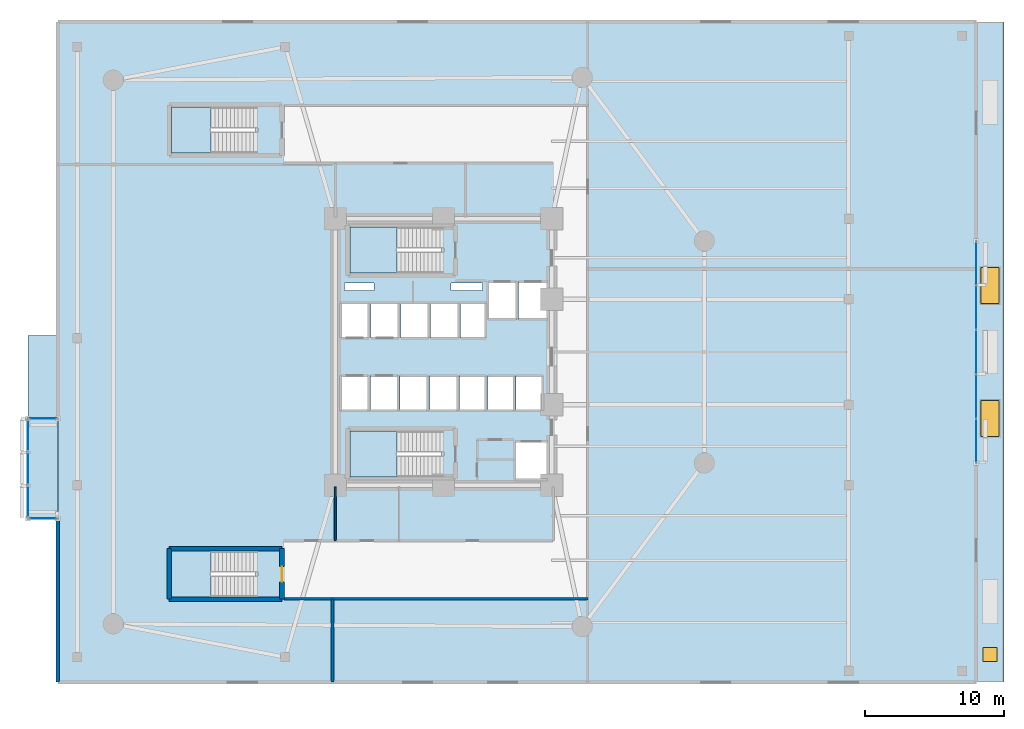
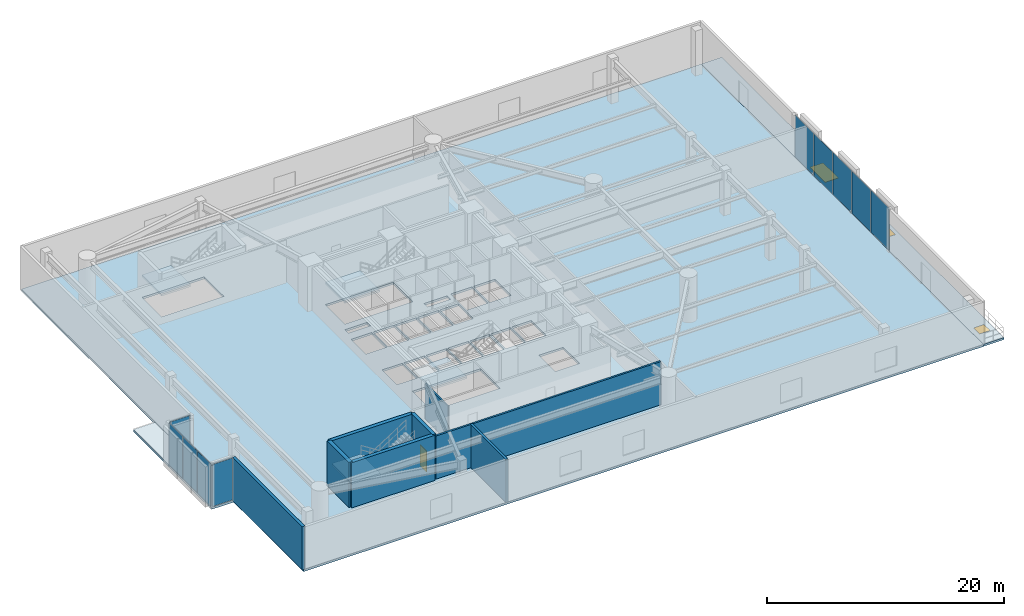
# One storey, part 8 of 15: 10 plates, 8 slabs, 8 walls, 2 doors, 2 windows, 4 openings, 8 elements without a shape of their own.
"""IFC4 building model written with IfcOpenShell, lengths in metres."""

from ifc_helpers import new_model, si_unit, direction, frame, frame_2d, origin, origin_2d, place, context, subcontext, project, spatial, polyline, rectangle, outline, extrude, material, layer, layer_set, type_object, element, fill, aggregate, save


model = new_model("IFC4")

# Units and contexts
model_context = context("Model", 3, precision=1e-05, world=origin(), true_north=direction((0.0, 1.0)))
body_context = subcontext(model_context, "Body", "Model", "MODEL_VIEW")
ifc_project = project(units=[si_unit("LENGTHUNIT", "METRE"), si_unit("AREAUNIT", "SQUARE_METRE"), si_unit("VOLUMEUNIT", "CUBIC_METRE"), si_unit("PLANEANGLEUNIT", "RADIAN"), si_unit("MASSUNIT", "GRAM", prefix="KILO")], contexts=[model_context])

# Site, building, storey
site_placement = place(None, origin())
site = spatial("IfcSite", under=ifc_project, at=site_placement, CompositionType="ELEMENT")
building_placement = place(site_placement, origin())
building = spatial("IfcBuilding", under=site, at=building_placement, Name="An Khanh Terracotta Commons", CompositionType="ELEMENT")
storey_placement = place(building_placement, frame((0.0, 0.0, 14.699951171875)))
storey = spatial("IfcBuildingStorey", under=building, at=storey_placement, Name="L04", CompositionType="ELEMENT", Elevation=14.699951171875)

# Curtain wall, plates
ifc_material_1 = material(Name="Anodised Aluminium 6063-T6", Category="aluminium")
ifc_layer_1 = layer(ifc_material_1, 0.179931640625, Name="Anodised Aluminium 6063-T6")
ifc_layer_set_1 = layer_set([ifc_layer_1], Name="Anodised Aluminium 6063-T6")
curtain_wall_type_1 = type_object("IfcCurtainWallType", Name="CW-SYS-01", PredefinedType="USERDEFINED", material=ifc_layer_set_1)
curtain_wall_1_placement = place(storey_placement, origin())
curtain_wall_1 = element("IfcCurtainWall", 1, at=curtain_wall_1_placement, inside=storey, type_object=curtain_wall_type_1, Name="L04 CW-01 Unitised Curtain Wall CW-L04-EAST", ObjectType="UNITISED CURTAIN WALL", PredefinedType="USERDEFINED")
ifc_material_2 = material(Name="Double Low-E Podium Glazing", Category="glass")
ifc_layer_2 = layer(ifc_material_2, 0.031982421875, Name="Double Low-E Podium Glazing")
ifc_layer_set_2 = layer_set([ifc_layer_2], Name="Double Low-E Podium Glazing")
plate_type_1 = type_object("IfcPlateType", Name="CWP-IGU-32", PredefinedType="CURTAIN_PANEL", material=ifc_layer_set_2)
plate_1_placement = place(storey_placement, frame((67.800048828125, 17.6162109375, 0.06005859375), z_axis=(0.0, 0.0, 1.0), x_axis=(0.0, 1.0, 0.0)))
plate_1 = element("IfcPlate", 2, at=plate_1_placement, type_object=plate_type_1, Name="CW-01 panel 1.1", PredefinedType="CURTAIN_PANEL", context=body_context, shape_type="SweptSolid", body=[
    extrude(rectangle(XDim=3.1025390625, YDim=0.031982421875, at=origin_2d()), origin(), (0.0, 0.0, 1.0), 4.330078125),
])
plate_2_placement = place(storey_placement, frame((67.800048828125, 20.800048828125, 0.06005859375), z_axis=(0.0, 0.0, 1.0), x_axis=(0.0, 1.0, 0.0)))
plate_2 = element("IfcPlate", 3, at=plate_2_placement, type_object=plate_type_1, Name="CW-01 panel 2.1", PredefinedType="CURTAIN_PANEL", context=body_context, shape_type="SweptSolid", body=[
    extrude(rectangle(XDim=3.135009765625, YDim=0.031982421875, at=origin_2d()), origin(), (0.0, 0.0, 1.0), 4.330078125),
])
plate_3_placement = place(storey_placement, frame((67.800048828125, 24.0, 0.06005859375), z_axis=(0.0, 0.0, 1.0), x_axis=(0.0, 1.0, 0.0)))
plate_3 = element("IfcPlate", 4, at=plate_3_placement, type_object=plate_type_1, Name="CW-01 panel 3.1", PredefinedType="CURTAIN_PANEL", context=body_context, shape_type="SweptSolid", body=[
    extrude(rectangle(XDim=3.135009765625, YDim=0.031982421875, at=origin_2d()), origin(), (0.0, 0.0, 1.0), 4.330078125),
])
plate_4_placement = place(storey_placement, frame((67.800048828125, 27.199951171875, 0.06005859375), z_axis=(0.0, 0.0, 1.0), x_axis=(0.0, 1.0, 0.0)))
plate_4 = element("IfcPlate", 5, at=plate_4_placement, type_object=plate_type_1, Name="CW-01 panel 4.1", PredefinedType="CURTAIN_PANEL", context=body_context, shape_type="SweptSolid", body=[
    extrude(rectangle(XDim=3.135009765625, YDim=0.031982421875, at=origin_2d()), origin(), (0.0, 0.0, 1.0), 4.330078125),
])
plate_5_placement = place(storey_placement, frame((67.800048828125, 30.3837890625, 0.06005859375), z_axis=(0.0, 0.0, 1.0), x_axis=(0.0, 1.0, 0.0)))
plate_5 = element("IfcPlate", 6, at=plate_5_placement, type_object=plate_type_1, Name="CW-01 panel 5.1", PredefinedType="CURTAIN_PANEL", context=body_context, shape_type="SweptSolid", body=[
    extrude(rectangle(XDim=3.1025390625, YDim=0.031982421875, at=origin_2d()), origin(), (0.0, 0.0, 1.0), 4.330078125),
])
aggregate(curtain_wall_1, [plate_1, plate_2, plate_3, plate_4, plate_5])

ifc_layer_3 = layer(ifc_material_1, 0.239990234375, Name="Anodised Aluminium 6063-T6")
ifc_layer_set_3 = layer_set([ifc_layer_3], Name="Anodised Aluminium 6063-T6")
curtain_wall_type_2 = type_object("IfcCurtainWallType", Name="CW-SYS-04", PredefinedType="USERDEFINED", material=ifc_layer_set_3)
curtain_wall_2_placement = place(storey_placement, origin())
curtain_wall_2 = element("IfcCurtainWall", 7, at=curtain_wall_2_placement, inside=storey, type_object=curtain_wall_type_2, Name="L04 CW-04 Unitised Curtain Wall CW-L04-WBOX-1", ObjectType="UNITISED CURTAIN WALL", PredefinedType="USERDEFINED")
ifc_material_3 = material(Name="Triple-Silver Sky-Lobby Glazing", Category="glass")
ifc_layer_4 = layer(ifc_material_3, 0.0400390625, Name="Triple-Silver Sky-Lobby Glazing")
ifc_layer_set_4 = layer_set([ifc_layer_4], Name="Triple-Silver Sky-Lobby Glazing")
plate_type_2 = type_object("IfcPlateType", Name="CWP-IGU-40", PredefinedType="CURTAIN_PANEL", material=ifc_layer_set_4)
plate_6_placement = place(storey_placement, frame((-0.550048828125, 17.97998046875, 0.06005859375), z_axis=(0.0, 0.0, 1.0), x_axis=(0.0, -1.0, 0.0)))
plate_6 = element("IfcPlate", 8, at=plate_6_placement, type_object=plate_type_2, Name="CW-04 panel 1.1", PredefinedType="CURTAIN_PANEL", context=body_context, shape_type="SweptSolid", body=[
    extrude(rectangle(XDim=2.280029296875, YDim=0.0400390625, at=origin_2d()), origin(), (0.0, 0.0, 1.0), 4.330078125),
])
plate_7_placement = place(storey_placement, frame((-0.550048828125, 15.60009765625, 0.06005859375), z_axis=(0.0, 0.0, 1.0), x_axis=(0.0, -1.0, 0.0)))
plate_7 = element("IfcPlate", 9, at=plate_7_placement, type_object=plate_type_2, Name="CW-04 panel 2.1", PredefinedType="CURTAIN_PANEL", context=body_context, shape_type="SweptSolid", body=[
    extrude(rectangle(XDim=2.320068359375, YDim=0.0400390625, at=origin_2d()), origin(), (0.0, 0.0, 1.0), 4.330078125),
])
plate_8_placement = place(storey_placement, frame((-0.550048828125, 13.219970703125, 0.06005859375), z_axis=(0.0, 0.0, 1.0), x_axis=(0.0, -1.0, 0.0)))
plate_8 = element("IfcPlate", 10, at=plate_8_placement, type_object=plate_type_2, Name="CW-04 panel 3.1", PredefinedType="CURTAIN_PANEL", context=body_context, shape_type="SweptSolid", body=[
    extrude(rectangle(XDim=2.280029296875, YDim=0.0400390625, at=origin_2d()), origin(), (0.0, 0.0, 1.0), 4.330078125),
])
aggregate(curtain_wall_2, [plate_6, plate_7, plate_8])

# Curtain wall, plate
curtain_wall_3_placement = place(storey_placement, origin())
curtain_wall_3 = element("IfcCurtainWall", 11, at=curtain_wall_3_placement, inside=storey, type_object=curtain_wall_type_2, Name="L04 CW-04 Unitised Curtain Wall CW-L04-WBOX-2", ObjectType="UNITISED CURTAIN WALL", PredefinedType="USERDEFINED")
plate_9_placement = place(storey_placement, frame((0.52490234375, 12.0, 0.06005859375), z_axis=(0.0, 0.0, 1.0), x_axis=(-1.0, 0.0, 0.0)))
plate_9 = element("IfcPlate", 12, at=plate_9_placement, type_object=plate_type_2, Name="CW-04 panel 1.1", PredefinedType="CURTAIN_PANEL", context=body_context, shape_type="SweptSolid", body=[
    extrude(rectangle(XDim=1.989990234375, YDim=0.0400390625, at=origin_2d()), origin(), (0.0, 0.0, 1.0), 4.330078125),
])
aggregate(curtain_wall_3, [plate_9])

curtain_wall_4_placement = place(storey_placement, origin())
curtain_wall_4 = element("IfcCurtainWall", 13, at=curtain_wall_4_placement, inside=storey, type_object=curtain_wall_type_2, Name="L04 CW-04 Unitised Curtain Wall CW-L04-WBOX-3", ObjectType="UNITISED CURTAIN WALL", PredefinedType="USERDEFINED")
plate_10_placement = place(storey_placement, frame((0.52490234375, 19.199951171875, 0.06005859375), z_axis=(0.0, 0.0, 1.0), x_axis=(1.0, 0.0, 0.0)))
plate_10 = element("IfcPlate", 14, at=plate_10_placement, type_object=plate_type_2, Name="CW-04 panel 1.1", PredefinedType="CURTAIN_PANEL", context=body_context, shape_type="SweptSolid", body=[
    extrude(rectangle(XDim=1.989990234375, YDim=0.0400390625, at=origin_2d()), origin(), (0.0, 0.0, 1.0), 4.330078125),
])
aggregate(curtain_wall_4, [plate_10])

# Slab
ifc_material_4 = material(Name="Concrete C40/50", Category="concrete")
ifc_layer_5 = layer(ifc_material_4, 0.22998046875, Name="Concrete C40/50")
ifc_layer_set_5 = layer_set([ifc_layer_5], Name="Concrete C40/50")
slab_type_1 = type_object("IfcSlabType", Name="SLAB-BOXROOF-230", PredefinedType="ROOF", material=ifc_layer_set_5)
slab_1_placement = place(storey_placement, frame((0.0, 0.0, -0.219970703125)))
element("IfcSlab", 15, at=slab_1_placement, inside=storey, type_object=slab_type_1, Name="L04 Shifted Social Kitchen Box Closing Roof Slab (L03)", PredefinedType="ROOF", context=body_context, shape_type="SweptSolid", body=[
    extrude(outline(polyline([(-0.550048828125, 25.199951171875), (1.60009765625, 25.199951171875), (1.60009765625, 19.219970703125), (-0.550048828125, 19.219970703125), (-0.550048828125, 25.199951171875)])), origin(), (0.0, 0.0, 1.0), 0.219970703125),
])

# Stair, slab
ifc_material_5 = material(Name="Precast concrete C40/50", Category="concrete")
stair_type_1 = type_object("IfcStairType", Name="STAIR-CORE-1550", PredefinedType="HALF_TURN_STAIR", material=ifc_material_5)
stair_1_placement = place(storey_placement, origin())
stair_1 = element("IfcStair", 16, at=stair_1_placement, inside=storey, type_object=stair_type_1, Name="L04 Core Smokeproof Exit Stair ST-01", PredefinedType="HALF_TURN_STAIR")
ifc_layer_6 = layer(ifc_material_4, 0.18994140625, Name="Concrete C40/50")
ifc_layer_set_6 = layer_set([ifc_layer_6], Name="Concrete C40/50")
slab_type_2 = type_object("IfcSlabType", Name="SLAB-LANDING-190", PredefinedType="LANDING", material=ifc_layer_set_6)
slab_2_placement = place(storey_placement, frame((0.0, 0.0, 2.125)))
slab_2 = element("IfcSlab", 17, at=slab_2_placement, type_object=slab_type_2, Name="ST-01 landing 1", PredefinedType="LANDING", context=body_context, shape_type="SweptSolid", body=[
    extrude(outline(polyline([(26.050048828125, 33.0), (22.64990234375, 33.0), (22.64990234375, 29.699951171875), (26.050048828125, 29.699951171875), (26.050048828125, 33.0)])), origin(), (0.0, 0.0, 1.0), 0.199951171875),
])
aggregate(stair_1, [slab_2])

stair_2_placement = place(storey_placement, origin())
stair_2 = element("IfcStair", 18, at=stair_2_placement, inside=storey, type_object=stair_type_1, Name="L04 Core Smokeproof Exit Stair ST-02", PredefinedType="HALF_TURN_STAIR")
slab_3_placement = place(storey_placement, frame((0.0, 0.0, 2.125)))
slab_3 = element("IfcSlab", 19, at=slab_3_placement, type_object=slab_type_2, Name="ST-02 landing 1", PredefinedType="LANDING", context=body_context, shape_type="SweptSolid", body=[
    extrude(outline(polyline([(26.050048828125, 18.300048828125), (22.64990234375, 18.300048828125), (22.64990234375, 15.0), (26.050048828125, 15.0), (26.050048828125, 18.300048828125)])), origin(), (0.0, 0.0, 1.0), 0.199951171875),
])
aggregate(stair_2, [slab_3])

stair_type_2 = type_object("IfcStairType", Name="STAIR-POD-1550", PredefinedType="HALF_TURN_STAIR", material=ifc_material_4)
stair_3_placement = place(storey_placement, origin())
stair_3 = element("IfcStair", 20, at=stair_3_placement, inside=storey, type_object=stair_type_2, Name="L04 Podium Commons Exit Stair ST-P1", PredefinedType="HALF_TURN_STAIR")
slab_4_placement = place(storey_placement, frame((0.0, 0.0, 2.125)))
slab_4 = element("IfcSlab", 21, at=slab_4_placement, type_object=slab_type_2, Name="ST-P1 landing 1", PredefinedType="LANDING", context=body_context, shape_type="SweptSolid", body=[
    extrude(outline(polyline([(12.639892578125, 9.64990234375), (9.800048828125, 9.64990234375), (9.800048828125, 6.35009765625), (12.639892578125, 6.35009765625), (12.639892578125, 9.64990234375)])), origin(), (0.0, 0.0, 1.0), 0.199951171875),
])
aggregate(stair_3, [slab_4])

stair_4_placement = place(storey_placement, origin())
stair_4 = element("IfcStair", 22, at=stair_4_placement, inside=storey, type_object=stair_type_2, Name="L04 Podium Commons Exit Stair ST-P2", PredefinedType="HALF_TURN_STAIR")
slab_5_placement = place(storey_placement, frame((0.0, 0.0, 2.125)))
slab_5 = element("IfcSlab", 23, at=slab_5_placement, type_object=slab_type_2, Name="ST-P2 landing 1", PredefinedType="LANDING", context=body_context, shape_type="SweptSolid", body=[
    extrude(outline(polyline([(12.639892578125, 41.64990234375), (9.800048828125, 41.64990234375), (9.800048828125, 38.35009765625), (12.639892578125, 38.35009765625), (12.639892578125, 41.64990234375)])), origin(), (0.0, 0.0, 1.0), 0.199951171875),
])
aggregate(stair_4, [slab_5])

# Slabs
ifc_layer_7 = layer(ifc_material_4, 0.219970703125, Name="Concrete C40/50")
ifc_layer_set_7 = layer_set([ifc_layer_7], Name="Concrete C40/50")
slab_type_3 = type_object("IfcSlabType", Name="SLAB-POD-220", PredefinedType="FLOOR", material=ifc_layer_set_7)
slab_6_placement = place(storey_placement, frame((0.0, 0.0, -0.219970703125)))
element("IfcSlab", 24, at=slab_6_placement, inside=storey, type_object=slab_type_3, Name="L04 Structural Floor Slab", PredefinedType="FLOOR", context=body_context, shape_type="SweptSolid", body=[
    extrude(outline(polyline([(1.60009765625, 0.199951171875), (67.800048828125, 0.199951171875), (67.800048828125, 47.800048828125), (1.60009765625, 47.800048828125), (1.60009765625, 0.199951171875)]), holes=[polyline([(22.64990234375, 29.699951171875), (29.27001953125, 29.699951171875), (29.27001953125, 33.0), (22.64990234375, 33.0), (22.64990234375, 29.699951171875)]), polyline([(22.64990234375, 15.0), (29.27001953125, 15.0), (29.27001953125, 18.300048828125), (22.64990234375, 18.300048828125), (22.64990234375, 15.0)]), polyline([(9.800048828125, 6.35009765625), (15.860107421875, 6.35009765625), (15.860107421875, 9.64990234375), (9.800048828125, 9.64990234375), (9.800048828125, 6.35009765625)]), polyline([(9.800048828125, 38.35009765625), (15.860107421875, 38.35009765625), (15.860107421875, 41.64990234375), (9.800048828125, 41.64990234375), (9.800048828125, 38.35009765625)]), polyline([(32.60009765625, 26.35009765625), (34.679931640625, 26.35009765625), (34.679931640625, 29.080078125), (32.60009765625, 29.080078125), (32.60009765625, 26.35009765625)]), polyline([(34.820068359375, 26.35009765625), (36.89990234375, 26.35009765625), (36.89990234375, 29.080078125), (34.820068359375, 29.080078125), (34.820068359375, 26.35009765625)]), polyline([(34.550048828125, 14.800048828125), (36.89990234375, 14.800048828125), (36.89990234375, 17.550048828125), (34.550048828125, 17.550048828125), (34.550048828125, 14.800048828125)]), polyline([(22.0, 25.0), (24.02001953125, 25.0), (24.02001953125, 27.5), (22.0, 27.5), (22.0, 25.0)]), polyline([(24.159912109375, 25.0), (26.179931640625, 25.0), (26.179931640625, 27.5), (24.159912109375, 27.5), (24.159912109375, 25.0)]), polyline([(22.0, 19.800048828125), (24.0, 19.800048828125), (24.0, 22.300048828125), (22.0, 22.300048828125), (22.0, 19.800048828125)]), polyline([(24.139892578125, 19.800048828125), (26.139892578125, 19.800048828125), (26.139892578125, 22.300048828125), (24.139892578125, 22.300048828125), (24.139892578125, 19.800048828125)]), polyline([(26.320068359375, 25.0), (28.340087890625, 25.0), (28.340087890625, 27.5), (26.320068359375, 27.5), (26.320068359375, 25.0)]), polyline([(28.47998046875, 25.0), (30.5, 25.0), (30.5, 27.5), (28.47998046875, 27.5), (28.47998046875, 25.0)]), polyline([(26.280029296875, 19.800048828125), (28.280029296875, 19.800048828125), (28.280029296875, 22.300048828125), (26.280029296875, 22.300048828125), (26.280029296875, 19.800048828125)]), polyline([(28.419921875, 19.800048828125), (30.419921875, 19.800048828125), (30.419921875, 22.300048828125), (28.419921875, 22.300048828125), (28.419921875, 19.800048828125)]), polyline([(30.639892578125, 25.0), (32.4599609375, 25.0), (32.4599609375, 27.5), (30.639892578125, 27.5), (30.639892578125, 25.0)]), polyline([(30.56005859375, 19.800048828125), (32.4599609375, 19.800048828125), (32.4599609375, 22.300048828125), (30.56005859375, 22.300048828125), (30.56005859375, 19.800048828125)]), polyline([(32.60009765625, 19.800048828125), (34.5, 19.800048828125), (34.5, 22.300048828125), (32.60009765625, 22.300048828125), (32.60009765625, 19.800048828125)]), polyline([(34.639892578125, 19.800048828125), (36.5400390625, 19.800048828125), (36.5400390625, 22.300048828125), (34.639892578125, 22.300048828125), (34.639892578125, 19.800048828125)]), polyline([(22.25, 28.419921875), (24.39990234375, 28.419921875), (24.39990234375, 28.97998046875), (22.25, 28.97998046875), (22.25, 28.419921875)]), polyline([(29.949951171875, 28.419921875), (32.199951171875, 28.419921875), (32.199951171875, 28.97998046875), (29.949951171875, 28.97998046875), (29.949951171875, 28.419921875)])]), origin(), (0.0, 0.0, 1.0), 0.219970703125),
])
slab_7_placement = place(storey_placement, frame((0.0, 0.0, -0.219970703125)))
element("IfcSlab", 25, at=slab_7_placement, inside=storey, type_object=slab_type_3, Name="L04 Shifted Social Kitchen Box Floor Slab", PredefinedType="FLOOR", context=body_context, shape_type="SweptSolid", body=[
    extrude(outline(polyline([(-0.550048828125, 12.0), (1.60009765625, 12.0), (1.60009765625, 19.199951171875), (-0.550048828125, 19.199951171875), (-0.550048828125, 12.0)])), origin(), (0.0, 0.0, 1.0), 0.219970703125),
])

# Slab, openings, door, windows
ifc_layer_8 = layer(ifc_material_4, 0.2099609375, Name="Concrete C40/50")
ifc_layer_set_8 = layer_set([ifc_layer_8], Name="Concrete C40/50")
slab_type_4 = type_object("IfcSlabType", Name="SLAB-TERR-210", PredefinedType="ROOF", material=ifc_layer_set_8)
slab_8_placement = place(storey_placement, frame((0.0, 0.0, -0.2099609375)))
slab_8 = element("IfcSlab", 26, at=slab_8_placement, inside=storey, type_object=slab_type_4, Name="L04 Cascading Garden Terrace Roof Slab", PredefinedType="ROOF", context=body_context, shape_type="SweptSolid", body=[
    extrude(outline(polyline([(67.800048828125, 0.199951171875), (69.800048828125, 0.199951171875), (69.800048828125, 47.800048828125), (67.800048828125, 47.800048828125), (67.800048828125, 0.199951171875)])), origin(), (0.0, 0.0, 1.0), 0.2099609375),
])
opening_1_placement = place(slab_8_placement, frame((68.800048828125, 19.199951171875, 0.0)))
opening_1 = element("IfcOpeningElement", 27, at=opening_1_placement, cuts=slab_8, Name="Opening SK-03", PredefinedType="OPENING", context=body_context, shape_type="SweptSolid", body=[
    extrude(rectangle(XDim=1.300048828125, YDim=2.60009765625, at=origin_2d()), frame((0.0, 0.0, -0.010009765625)), (0.0, 0.0, 1.0), 0.22998046875),
])
opening_2_placement = place(slab_8_placement, frame((68.800048828125, 28.800048828125, 0.0)))
opening_2 = element("IfcOpeningElement", 28, at=opening_2_placement, cuts=slab_8, Name="Opening SK-03", PredefinedType="OPENING", context=body_context, shape_type="SweptSolid", body=[
    extrude(rectangle(XDim=1.300048828125, YDim=2.60009765625, at=origin_2d()), frame((0.0, 0.0, -0.010009765625)), (0.0, 0.0, 1.0), 0.22998046875),
])
opening_3_placement = place(slab_8_placement, frame((68.800048828125, 2.199951171875, 0.0)))
opening_3 = element("IfcOpeningElement", 29, at=opening_3_placement, cuts=slab_8, Name="Opening RH-01", PredefinedType="OPENING", context=body_context, shape_type="SweptSolid", body=[
    extrude(rectangle(XDim=1.0, YDim=1.0, at=origin_2d()), frame((0.0, 0.0, -0.010009765625)), (0.0, 0.0, 1.0), 0.22998046875),
])
ifc_material_6 = material(Name="Insulated Marine-Grade Aluminium", Category="aluminium")
door_type_1 = type_object("IfcDoorType", Name="HATCH-ROOF-1000", OperationType="NOTDEFINED", PredefinedType="TRAPDOOR", material=ifc_material_6)
door_1_placement = place(opening_3_placement, frame((0.0, 0.0, 0.159912109375)))
door_1 = element("IfcDoor", 30, at=door_1_placement, inside=storey, type_object=door_type_1, Name="L04 Terrace Services Access Hatch", OperationType="SINGLE_SWING_LEFT", OverallHeight=1.0, OverallWidth=1.0, PredefinedType="TRAPDOOR", context=body_context, shape_type="SweptSolid", body=[
    extrude(rectangle(XDim=1.0, YDim=1.0, at=origin_2d()), origin(), (0.0, 0.0, 1.0), 0.050048828125),
])
fill(opening_3, door_1)
ifc_material_7 = material(Name="Laminated Solar-Control Skylight Glazing", Category="glass")
window_type = type_object("IfcWindowType", Name="SKY-3600x2600", PartitioningType="SINGLE_PANEL", PredefinedType="SKYLIGHT", material=ifc_material_7)
window_1_placement = place(opening_1_placement, frame((0.0, 0.0, 0.159912109375)))
window_1 = element("IfcWindow", 31, at=window_1_placement, inside=storey, type_object=window_type, Name="L04 Cascading Terrace Rooflight 1", OverallHeight=2.60009765625, OverallWidth=1.300048828125, PartitioningType="SINGLE_PANEL", PredefinedType="SKYLIGHT", context=body_context, shape_type="SweptSolid", body=[
    extrude(rectangle(XDim=1.300048828125, YDim=2.60009765625, at=origin_2d()), origin(), (0.0, 0.0, 1.0), 0.050048828125),
])
fill(opening_1, window_1)
window_2_placement = place(opening_2_placement, frame((0.0, 0.0, 0.159912109375)))
window_2 = element("IfcWindow", 32, at=window_2_placement, inside=storey, type_object=window_type, Name="L04 Cascading Terrace Rooflight 2", OverallHeight=2.60009765625, OverallWidth=1.300048828125, PartitioningType="SINGLE_PANEL", PredefinedType="SKYLIGHT", context=body_context, shape_type="SweptSolid", body=[
    extrude(rectangle(XDim=1.300048828125, YDim=2.60009765625, at=origin_2d()), origin(), (0.0, 0.0, 1.0), 0.050048828125),
])
fill(opening_2, window_2)

# Walls
ifc_material_8 = material(Name="Fire-Rated Gypsum Board on Steel Stud", Category="steel")
ifc_layer_9 = layer(ifc_material_8, 0.179931640625, Name="Fire-Rated Gypsum Board on Steel Stud")
ifc_layer_set_9 = layer_set([ifc_layer_9], Name="Fire-Rated Gypsum Board on Steel Stud")
wall_type_1 = type_object("IfcWallType", Name="WALL-CORR-180", PredefinedType="PARTITIONING", material=ifc_layer_set_9)
wall_1_placement = place(storey_placement, frame((17.889892578125, 6.199951171875, 0.0), z_axis=(0.0, 0.0, 1.0), x_axis=(1.0, 0.0, 0.0)))
element("IfcWall", 33, at=wall_1_placement, inside=storey, type_object=wall_type_1, Name="L04 Interior Partition IW-L04-E001", PredefinedType="PARTITIONING", context=body_context, shape_type="SweptSolid", body=[
    extrude(rectangle(XDim=21.91015625, YDim=0.179931640625, at=frame_2d((10.955078125, 0.0))), origin(), (0.0, 0.0, 1.0), 4.449951171875),
])
ifc_material_9 = material(Name="Acoustic Double-Stud Gypsum and Mineral Wool")
ifc_layer_10 = layer(ifc_material_9, 0.219970703125, Name="Acoustic Double-Stud Gypsum and Mineral Wool")
ifc_layer_set_10 = layer_set([ifc_layer_10], Name="Acoustic Double-Stud Gypsum and Mineral Wool")
wall_type_2 = type_object("IfcWallType", Name="WALL-PARTY-220", PredefinedType="PARTITIONING", material=ifc_layer_set_10)
wall_2_placement = place(storey_placement, frame((21.39990234375, 0.199951171875, 0.0), z_axis=(0.0, 0.0, 1.0), x_axis=(0.0, 1.0, 0.0)))
element("IfcWall", 34, at=wall_2_placement, inside=storey, type_object=wall_type_2, Name="L04 Interior Partition IW-L04-E007", PredefinedType="PARTITIONING", context=body_context, shape_type="SweptSolid", body=[
    extrude(rectangle(XDim=6.0, YDim=0.219970703125, at=frame_2d((3.0, 0.0))), origin(), (0.0, 0.0, 1.0), 4.449951171875),
])
ifc_layer_11 = layer(ifc_material_4, 0.260009765625, Name="Concrete C40/50")
ifc_layer_set_11 = layer_set([ifc_layer_11], Name="Concrete C40/50")
wall_type_3 = type_object("IfcWallType", Name="WALL-POD-260", PredefinedType="SOLIDWALL", material=ifc_layer_set_11)
wall_3_placement = place(storey_placement, frame((1.60009765625, 0.199951171875, 0.0), z_axis=(0.0, 0.0, 1.0), x_axis=(0.0, 1.0, 0.0)))
element("IfcWall", 35, at=wall_3_placement, inside=storey, type_object=wall_type_3, Name="L04 West Exterior Wall South", PredefinedType="SOLIDWALL", context=body_context, shape_type="SweptSolid", body=[
    extrude(rectangle(XDim=11.800048828125, YDim=0.260009765625, at=frame_2d((5.89990234375, 0.0))), origin(), (0.0, 0.0, 1.0), 4.449951171875),
])
ifc_material_10 = material(Name="Concrete C50/60", Category="concrete")
ifc_layer_12 = layer(ifc_material_10, 0.35009765625, Name="Concrete C50/60")
ifc_layer_set_12 = layer_set([ifc_layer_12], Name="Concrete C50/60")
wall_type_4 = type_object("IfcWallType", Name="WALL-SHAFT-350", PredefinedType="SOLIDWALL", material=ifc_layer_set_12)
wall_4_placement = place(storey_placement, frame((9.6298828125, 6.179931640625, 0.0), z_axis=(0.0, 0.0, 1.0), x_axis=(0.0, 1.0, 0.0)))
element("IfcWall", 36, at=wall_4_placement, inside=storey, type_object=wall_type_4, Name="L04 Podium Stair ST-P1 W Wall", PredefinedType="SOLIDWALL", context=body_context, shape_type="SweptSolid", body=[
    extrude(rectangle(XDim=3.64013671875, YDim=0.35009765625, at=frame_2d((1.820068359375, 0.0))), origin(), (0.0, 0.0, 1.0), 4.650146484375),
])
for number, where, z_axis, x_axis, name in (
    (37, (9.6298828125, 9.820068359375, 0.0), (0.0, 0.0, 1.0), (1.0, 0.0, 0.0), "L04 Podium Stair ST-P1 N Wall"),
    (38, (17.77001953125, 6.179931640625, 0.0), (0.0, 0.0, 1.0), (-1.0, 0.0, 0.0), "L04 Podium Stair ST-P1 S Wall"),
):
    element("IfcWall", number, at=place(storey_placement, frame(where, z_axis=z_axis, x_axis=x_axis)), inside=storey, type_object=wall_type_4, Name=name, PredefinedType="SOLIDWALL", context=body_context, shape_type="SweptSolid", body=[
        extrude(rectangle(XDim=8.14013671875, YDim=0.35009765625, at=frame_2d((4.070068359375, 0.0))), origin(), (0.0, 0.0, 1.0), 4.650146484375),
    ])

# Wall, opening, door
wall_5_placement = place(storey_placement, frame((17.77001953125, 6.179931640625, 0.0), z_axis=(0.0, 0.0, 1.0), x_axis=(0.0, 1.0, 0.0)))
wall_5 = element("IfcWall", 39, at=wall_5_placement, inside=storey, type_object=wall_type_4, Name="L04 Podium Stair ST-P1 E Wall", PredefinedType="SOLIDWALL", context=body_context, shape_type="SweptSolid", body=[
    extrude(rectangle(XDim=3.64013671875, YDim=0.35009765625, at=frame_2d((1.820068359375, 0.0))), origin(), (0.0, 0.0, 1.0), 4.650146484375),
])
opening_4_placement = place(wall_5_placement, frame((1.25, 0.0, 0.0)))
opening_4 = element("IfcOpeningElement", 40, at=opening_4_placement, cuts=wall_5, Name="Opening D-ST", PredefinedType="OPENING", context=body_context, shape_type="SweptSolid", body=[
    extrude(rectangle(XDim=1.10009765625, YDim=2.14990234375, at=frame_2d((0.550048828125, 1.074951171875))), frame((0.0, 0.18505859375, 0.0), z_axis=(0.0, -1.0, 0.0), x_axis=(1.0, 0.0, 0.0)), (0.0, 0.0, 1.0), 0.3701171875),
])
ifc_material_11 = material(Name="Fire-Rated Steel Leaf and Frame", Category="steel")
door_type_2 = type_object("IfcDoorType", Name="DOOR-STAIR-1100", OperationType="NOTDEFINED", PredefinedType="DOOR", material=ifc_material_11)
door_2_placement = place(opening_4_placement, origin())
door_2 = element("IfcDoor", 41, at=door_2_placement, inside=storey, type_object=door_type_2, Name="L04 Podium Stair ST-P1 Fire Door", OperationType="SINGLE_SWING_LEFT", OverallHeight=2.14990234375, OverallWidth=1.10009765625, PredefinedType="DOOR", context=body_context, shape_type="SweptSolid", body=[
    extrude(rectangle(XDim=1.10009765625, YDim=2.14990234375, at=frame_2d((0.550048828125, 1.074951171875))), frame((0.0, 0.02490234375, 0.0), z_axis=(0.0, -1.0, 0.0), x_axis=(1.0, 0.0, 0.0)), (0.0, 0.0, 1.0), 0.050048828125),
])
fill(opening_4, door_2)

# Wall
ifc_material_12 = material(Name="Moisture-Resistant Cement Board Partition")
ifc_layer_13 = layer(ifc_material_12, 0.1201171875, Name="Moisture-Resistant Cement Board Partition")
ifc_layer_set_13 = layer_set([ifc_layer_13], Name="Moisture-Resistant Cement Board Partition")
wall_type_5 = type_object("IfcWallType", Name="WALL-WET-120", PredefinedType="PARTITIONING", material=ifc_layer_set_13)
wall_6_placement = place(storey_placement, frame((21.60009765625, 10.39990234375, 0.0), z_axis=(0.0, 0.0, 1.0), x_axis=(0.0, 1.0, 0.0)))
element("IfcWall", 42, at=wall_6_placement, inside=storey, type_object=wall_type_5, Name="L04 Interior Partition IW-L04-E008", PredefinedType="PARTITIONING", context=body_context, shape_type="SweptSolid", body=[
    extrude(rectangle(XDim=3.880126953125, YDim=0.1201171875, at=frame_2d((1.93994140625, 0.0))), origin(), (0.0, 0.0, 1.0), 3.632080078125),
])

save(model, "model.ifc")
